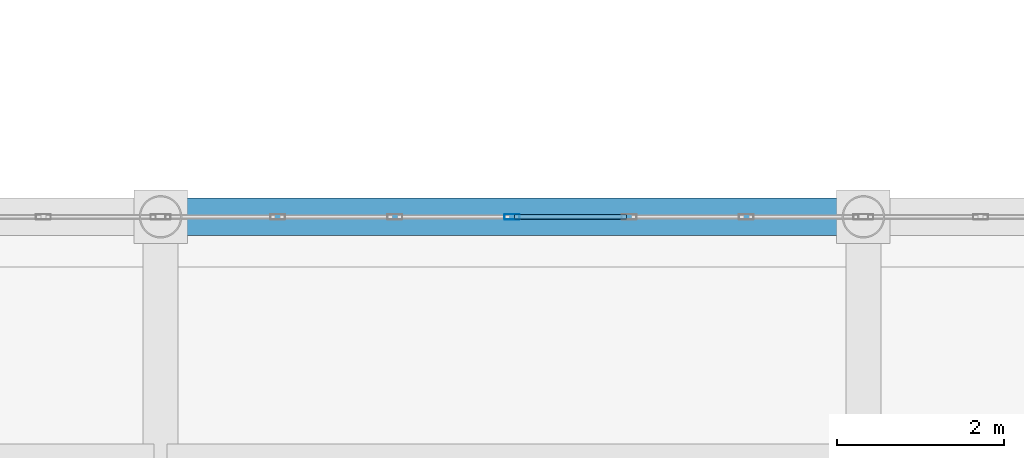
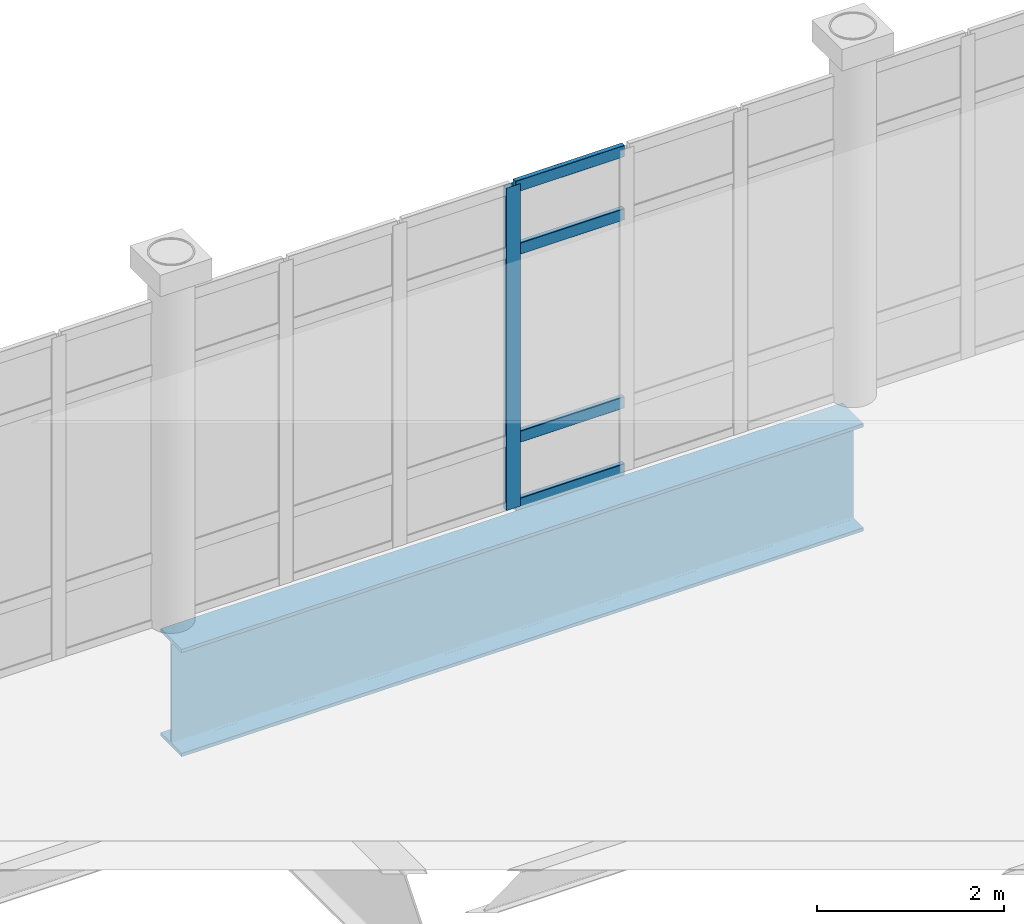
# One storey, part 42 of 145: 5 members, 1 beam, 1 element without a shape of its own.
"""IFC4 building model written with IfcOpenShell, lengths in metres."""

from ifc_helpers import new_model, si_unit, direction, frame, origin, origin_2d, place, context, subcontext, project, spatial, hollow_rectangle, i_section, extrude, material, layer, layer_set, material_profile, profile_set, type_object, element, aggregate, save


model = new_model("IFC4")

# Units and contexts
model_context = context("Model", 3, precision=1e-05, world=origin(), true_north=direction((0.0, 1.0)))
body_context = subcontext(model_context, "Body", "Model", "MODEL_VIEW")
ifc_project = project(units=[si_unit("LENGTHUNIT", "METRE"), si_unit("AREAUNIT", "SQUARE_METRE"), si_unit("VOLUMEUNIT", "CUBIC_METRE"), si_unit("PLANEANGLEUNIT", "RADIAN"), si_unit("MASSUNIT", "GRAM", prefix="KILO")], contexts=[model_context])

# Site, building, storey
site_placement = place(None, origin())
site = spatial("IfcSite", under=ifc_project, at=site_placement, CompositionType="ELEMENT")
building_placement = place(site_placement, origin())
building = spatial("IfcBuilding", under=site, at=building_placement, Name="Qalvenar Corner Mobility Hub", CompositionType="ELEMENT")
storey_placement = place(building_placement, origin())
storey = spatial("IfcBuildingStorey", under=building, at=storey_placement, Name="L00", CompositionType="ELEMENT", Elevation=0.0)

# Beam
ifc_material_1 = material(Name="Steel S355", Category="steel")
ifc_material_profile_1 = material_profile(ifc_material_1, i_section(OverallWidth=0.449951171875, OverallDepth=1.39990234375, WebThickness=0.02587890625, FlangeThickness=0.0439453125, FilletRadius=0.02392578125, at=origin_2d()), Name="W1100x499-TG1400")
ifc_profile_set_1 = profile_set([ifc_material_profile_1], Name="Steel S355")
beam_type = type_object("IfcBeamType", Name="BM-TG1400", PredefinedType="T_BEAM", material=ifc_profile_set_1)
beam_placement = place(storey_placement, frame((58.800048828125, 33.60009765625, -0.949951171875), z_axis=(1.0, 0.0, 0.0), x_axis=(0.0, 1.0, 0.0)))
element("IfcBeam", 1, at=beam_placement, inside=storey, type_object=beam_type, Name="Transfer Girder TG-0158", PredefinedType="T_BEAM", context=body_context, shape_type="SweptSolid", body=[
    extrude(i_section(OverallWidth=0.449951171875, OverallDepth=1.39990234375, WebThickness=0.02587890625, FlangeThickness=0.0439453125, FilletRadius=0.02392578125, at=origin_2d()), origin(), (0.0, 0.0, 1.0), 8.39990234375),
])

# Curtain wall, members
ifc_material_2 = material(Name="Anodised Aluminium and Low-E Glazing", Category="aluminium")
ifc_layer = layer(ifc_material_2, 0.179931640625)
ifc_layer_set = layer_set([ifc_layer], Name="Anodised Aluminium and Low-E Glazing")
curtain_wall_type = type_object("IfcCurtainWallType", Name="CW-CONC-84X48", PredefinedType="NOTDEFINED", material=ifc_layer_set)
curtain_wall_placement = place(storey_placement, origin())
curtain_wall = element("IfcCurtainWall", 2, at=curtain_wall_placement, inside=storey, type_object=curtain_wall_type, Name="Glazed Curtain Wall CW-V1-L00-N1", PredefinedType="NOTDEFINED")
ifc_material_3 = material(Name="Anodised Aluminium 6063-T6", Category="aluminium")
ifc_material_profile_2 = material_profile(ifc_material_3, hollow_rectangle(XDim=0.06494140625, YDim=0.179931640625, WallThickness=0.00390625, InnerFilletRadius=0.00390625, OuterFilletRadius=0.008056640625, at=origin_2d()), Name="RHS180x65x4")
ifc_profile_set_2 = profile_set([ifc_material_profile_2], Name="Anodised Aluminium 6063-T6")
member_type_1 = type_object("IfcMemberType", Name="CW-MUL180", PredefinedType="MULLION", material=ifc_profile_set_2)
member_1_placement = place(storey_placement, frame((63.0, 33.60009765625, 0.0), z_axis=(0.0, 0.0, 1.0), x_axis=(0.0, -1.0, 0.0)))
member_1 = element("IfcMember", 3, at=member_1_placement, type_object=member_type_1, Name="CW-01 mullion 4", PredefinedType="MULLION", context=body_context, shape_type="SweptSolid", body=[
    extrude(hollow_rectangle(XDim=0.06494140625, YDim=0.179931640625, WallThickness=0.00390625, InnerFilletRadius=0.00390625, OuterFilletRadius=0.008056640625, at=origin_2d()), origin(), (0.0, 0.0, 1.0), 4.199951171875),
])
ifc_material_profile_3 = material_profile(ifc_material_3, hollow_rectangle(XDim=0.06005859375, YDim=0.14990234375, WallThickness=0.00341796875, InnerFilletRadius=0.00341796875, OuterFilletRadius=0.007080078125, at=origin_2d()), Name="RHS150x60x3.5")
ifc_profile_set_3 = profile_set([ifc_material_profile_3], Name="Anodised Aluminium 6063-T6")
member_type_2 = type_object("IfcMemberType", Name="CW-TRN150", PredefinedType="USERDEFINED", material=ifc_profile_set_3)
member_2_placement = place(storey_placement, frame((64.3701171875, 33.60009765625, 0.027587890625), z_axis=(-1.0, 0.0, 0.0), x_axis=(0.0, -1.0, 0.0)))
member_2 = element("IfcMember", 4, at=member_2_placement, type_object=member_type_2, Name="CW-01 transom 3.1", ObjectType="TRANSOM", PredefinedType="USERDEFINED", context=body_context, shape_type="SweptSolid", body=[
    extrude(hollow_rectangle(XDim=0.06005859375, YDim=0.14990234375, WallThickness=0.00341796875, InnerFilletRadius=0.00341796875, OuterFilletRadius=0.007080078125, at=origin_2d()), origin(), (0.0, 0.0, 1.0), 1.340087890625),
])
member_3_placement = place(storey_placement, frame((64.3701171875, 33.60009765625, 0.89990234375), z_axis=(-1.0, 0.0, 0.0), x_axis=(0.0, -1.0, 0.0)))
member_3 = element("IfcMember", 5, at=member_3_placement, type_object=member_type_2, Name="CW-01 transom 3.2", ObjectType="TRANSOM", PredefinedType="USERDEFINED", context=body_context, shape_type="SweptSolid", body=[
    extrude(hollow_rectangle(XDim=0.06005859375, YDim=0.14990234375, WallThickness=0.00341796875, InnerFilletRadius=0.00341796875, OuterFilletRadius=0.007080078125, at=origin_2d()), origin(), (0.0, 0.0, 1.0), 1.340087890625),
])
member_4_placement = place(storey_placement, frame((64.3701171875, 33.60009765625, 3.35009765625), z_axis=(-1.0, 0.0, 0.0), x_axis=(0.0, -1.0, 0.0)))
member_4 = element("IfcMember", 6, at=member_4_placement, type_object=member_type_2, Name="CW-01 transom 3.3", ObjectType="TRANSOM", PredefinedType="USERDEFINED", context=body_context, shape_type="SweptSolid", body=[
    extrude(hollow_rectangle(XDim=0.06005859375, YDim=0.14990234375, WallThickness=0.00341796875, InnerFilletRadius=0.00341796875, OuterFilletRadius=0.007080078125, at=origin_2d()), origin(), (0.0, 0.0, 1.0), 1.340087890625),
])
member_5_placement = place(storey_placement, frame((64.3701171875, 33.60009765625, 4.172607421875), z_axis=(-1.0, 0.0, 0.0), x_axis=(0.0, -1.0, 0.0)))
member_5 = element("IfcMember", 7, at=member_5_placement, type_object=member_type_2, Name="CW-01 transom 3.4", ObjectType="TRANSOM", PredefinedType="USERDEFINED", context=body_context, shape_type="SweptSolid", body=[
    extrude(hollow_rectangle(XDim=0.06005859375, YDim=0.14990234375, WallThickness=0.00341796875, InnerFilletRadius=0.00341796875, OuterFilletRadius=0.007080078125, at=origin_2d()), origin(), (0.0, 0.0, 1.0), 1.340087890625),
])
aggregate(curtain_wall, [member_1, member_2, member_3, member_4, member_5])

save(model, "model.ifc")
